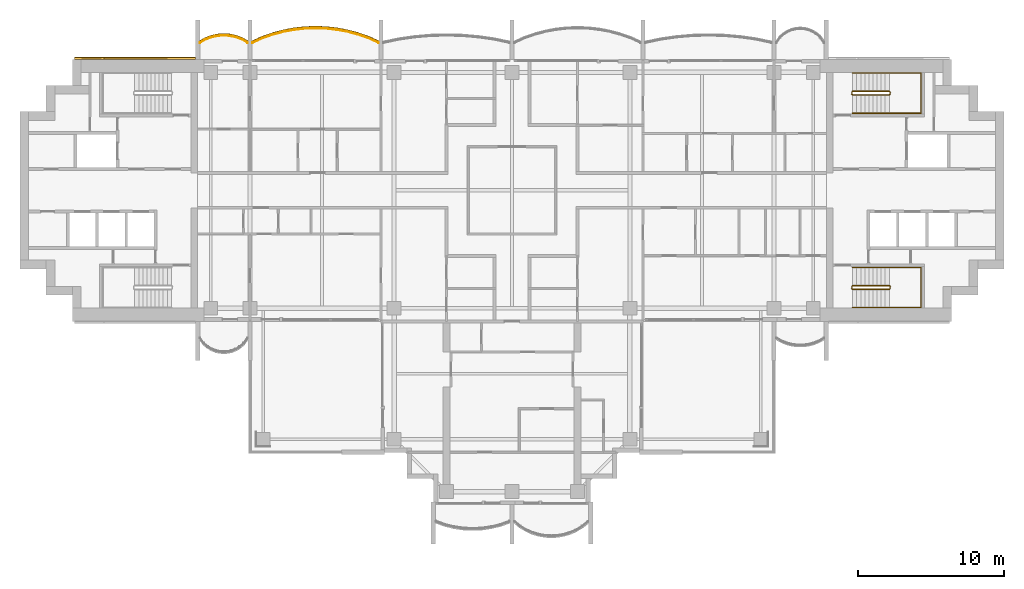
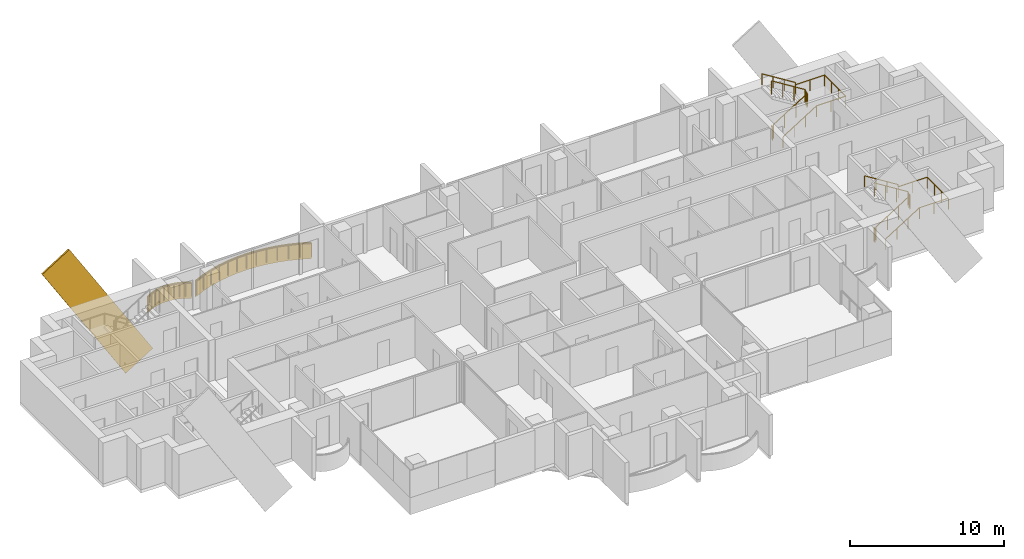
# One storey, part 17 of 18: 6 railings, 3 coverings.
"""IFC4 building model written with IfcOpenShell, lengths in metres."""

from ifc_helpers import new_model, si_unit, direction, frame, origin, origin_2d, place, context, subcontext, project, spatial, polyline, rectangle, outline, extrude, material, layer, layer_set, material_profile, profile_set, type_object, element, save


model = new_model("IFC4")

# Units and contexts
model_context = context("Model", 3, precision=1e-05, world=origin(), true_north=direction((0.0, 1.0)))
body_context = subcontext(model_context, "Body", "Model", "MODEL_VIEW")
ifc_project = project(units=[si_unit("LENGTHUNIT", "METRE"), si_unit("AREAUNIT", "SQUARE_METRE"), si_unit("VOLUMEUNIT", "CUBIC_METRE"), si_unit("PLANEANGLEUNIT", "RADIAN"), si_unit("MASSUNIT", "GRAM", prefix="KILO")], contexts=[model_context])

# Site, building, storey
site_placement = place(None, origin())
site = spatial("IfcSite", under=ifc_project, at=site_placement, CompositionType="ELEMENT")
building_placement = place(site_placement, origin())
building = spatial("IfcBuilding", under=site, at=building_placement, Name="Perihelion Cross Residences", CompositionType="ELEMENT")
storey_placement = place(building_placement, frame((0.0, 0.0, 177.10009765625)))
storey = spatial("IfcBuildingStorey", under=building, at=storey_placement, Name="L43", CompositionType="ELEMENT", Elevation=177.10009765625)

# Coverings
ifc_material_1 = material(Name="Bronze anodised aluminium", Category="aluminium")
ifc_layer = layer(ifc_material_1, 0.070068359375)
ifc_layer_set = layer_set([ifc_layer], Name="Balcony fascia 1300")
covering_type_1 = type_object("IfcCoveringType", Name="Balcony fascia 1300", PredefinedType="CLADDING", material=ifc_layer_set)
covering_1_placement = place(storey_placement, frame((0.0, 0.0, -0.2001953125)))
element("IfcCovering", 1, at=covering_1_placement, inside=storey, type_object=covering_type_1, Name="Fascia BF1 L43 west side north bay 1", PredefinedType="CLADDING", context=body_context, shape_type="SweptSolid", body=[
    extrude(outline(polyline([(-9.849365234375, 10.582275390625), (-10.57958984375, 10.83544921875), (-11.309814453125, 11.028076171875), (-12.039794921875, 11.1630859375), (-12.77001953125, 11.243408203125), (-13.5, 11.27001953125), (-14.22998046875, 11.243408203125), (-14.960205078125, 11.1630859375), (-15.690185546875, 11.028076171875), (-16.42041015625, 10.83544921875), (-17.150634765625, 10.582275390625), (-17.85009765625, 10.2763671875), (-17.85009765625, 10.199951171875), (-17.125, 10.51708984375), (-16.39990234375, 10.7685546875), (-15.675048828125, 10.959716796875), (-14.949951171875, 11.093994140625), (-14.22509765625, 11.173583984375), (-13.5, 11.199951171875), (-12.77490234375, 11.173583984375), (-12.050048828125, 11.093994140625), (-11.324951171875, 10.959716796875), (-10.60009765625, 10.7685546875), (-9.875, 10.51708984375), (-9.14990234375, 10.199951171875), (-9.14990234375, 10.2763671875), (-9.849365234375, 10.582275390625)])), origin(), (0.0, 0.0, 1.0), 1.300048828125),
])
covering_2_placement = place(storey_placement, frame((0.0, 0.0, -0.2001953125)))
element("IfcCovering", 2, at=covering_2_placement, inside=storey, type_object=covering_type_1, Name="Fascia BF1 L43 west side north bay 2", PredefinedType="CLADDING", context=body_context, shape_type="SweptSolid", body=[
    extrude(outline(polyline([(-18.486328125, 10.4716796875), (-18.861572265625, 10.62158203125), (-19.237060546875, 10.717529296875), (-19.6123046875, 10.76416015625), (-19.987548828125, 10.76416015625), (-20.363037109375, 10.717529296875), (-20.73828125, 10.62158203125), (-21.11376953125, 10.4716796875), (-21.449951171875, 10.280517578125), (-21.449951171875, 10.199951171875), (-21.083251953125, 10.40869140625), (-20.716552734375, 10.55517578125), (-20.35009765625, 10.648681640625), (-19.9833984375, 10.6943359375), (-19.61669921875, 10.6943359375), (-19.25, 10.648681640625), (-18.88330078125, 10.55517578125), (-18.5166015625, 10.40869140625), (-18.14990234375, 10.199951171875), (-18.14990234375, 10.280517578125), (-18.486328125, 10.4716796875)])), origin(), (0.0, 0.0, 1.0), 1.300048828125),
])

# Railings
ifc_material_2 = material(Name="Bronze anodised aluminium", Category="aluminium")
railing_type_1 = type_object("IfcRailingType", Name="Balcony guard 1100", PredefinedType="GUARDRAIL", material=ifc_material_2)
railing_1_placement = place(storey_placement, frame((-9.175048828125, 10.139892578125, 0.0)))
element("IfcRailing", 3, at=railing_1_placement, inside=storey, type_object=railing_type_1, Name="Guard GU1 L43 west side north bay 1 balcony", PredefinedType="GUARDRAIL", context=body_context, shape_type="SweptSolid", body=[
    extrude(rectangle(XDim=0.048095703125, YDim=0.048095703125, at=origin_2d()), frame((0.0, 0.0, 1.076171875), z_axis=(-0.910866309087, 0.412701547089, 0.0), x_axis=(-0.412701547089, -0.910866309087, 0.0)), (0.0, 0.0, 1.0), 0.7685546875),
    extrude(rectangle(XDim=0.048095703125, YDim=0.048095703125, at=origin_2d()), frame((-0.699951171875, 0.317138671875, 1.076171875), z_axis=(-0.944796812452, 0.327656807012, 0.0), x_axis=(-0.327656807012, -0.944796812452, 0.0)), (0.0, 0.0, 1.0), 0.767578125),
    extrude(rectangle(XDim=0.048095703125, YDim=0.048095703125, at=origin_2d()), frame((-1.425048828125, 0.568603515625, 1.076171875), z_axis=(-0.966939404945, 0.255006249266, 0.0), x_axis=(-0.255006249266, -0.966939404945, 0.0)), (0.0, 0.0, 1.0), 0.749755859375),
    extrude(rectangle(XDim=0.048095703125, YDim=0.048095703125, at=origin_2d()), frame((-2.14990234375, 0.759765625, 1.076171875), z_axis=(-0.983282004984, 0.182089260182, 0.0), x_axis=(-0.182089260182, -0.983282004984, 0.0)), (0.0, 0.0, 1.0), 0.7373046875),
    extrude(rectangle(XDim=0.048095703125, YDim=0.048095703125, at=origin_2d()), frame((-2.875, 0.89404296875, 1.076171875), z_axis=(-0.994025805622, 0.109145305703, 0.0), x_axis=(-0.109145305703, -0.994025805622, 0.0)), (0.0, 0.0, 1.0), 0.729248046875),
    extrude(rectangle(XDim=0.048095703125, YDim=0.048095703125, at=origin_2d()), frame((-3.599853515625, 0.9736328125, 1.076171875), z_axis=(-0.999339497946, 0.036339618107, 0.0), x_axis=(-0.036339618107, -0.999339497946, 0.0)), (0.0, 0.0, 1.0), 0.7255859375),
    extrude(rectangle(XDim=0.048095703125, YDim=0.048095703125, at=origin_2d()), frame((-4.324951171875, 1.0, 1.076171875), z_axis=(-0.999339497946, -0.036339618107, 0.0), x_axis=(0.036339618107, -0.999339497946, 0.0)), (0.0, 0.0, 1.0), 0.7255859375),
    extrude(rectangle(XDim=0.048095703125, YDim=0.048095703125, at=origin_2d()), frame((-5.050048828125, 0.9736328125, 1.076171875), z_axis=(-0.994025805622, -0.109145305703, 0.0), x_axis=(0.109145305703, -0.994025805622, 0.0)), (0.0, 0.0, 1.0), 0.729248046875),
    extrude(rectangle(XDim=0.048095703125, YDim=0.048095703125, at=origin_2d()), frame((-5.77490234375, 0.89404296875, 1.076171875), z_axis=(-0.983282004984, -0.182089260182, 0.0), x_axis=(0.182089260182, -0.983282004984, 0.0)), (0.0, 0.0, 1.0), 0.7373046875),
    extrude(rectangle(XDim=0.048095703125, YDim=0.048095703125, at=origin_2d()), frame((-6.5, 0.759765625, 1.076171875), z_axis=(-0.966939404945, -0.255006249266, 0.0), x_axis=(0.255006249266, -0.966939404945, 0.0)), (0.0, 0.0, 1.0), 0.749755859375),
    extrude(rectangle(XDim=0.048095703125, YDim=0.048095703125, at=origin_2d()), frame((-7.224853515625, 0.568603515625, 1.076171875), z_axis=(-0.944796812452, -0.327656807012, 0.0), x_axis=(0.327656807012, -0.944796812452, 0.0)), (0.0, 0.0, 1.0), 0.767578125),
    extrude(rectangle(XDim=0.048095703125, YDim=0.048095703125, at=origin_2d()), frame((-7.949951171875, 0.317138671875, 1.076171875), z_axis=(-0.910866309087, -0.412701547089, 0.0), x_axis=(0.412701547089, -0.910866309087, 0.0)), (0.0, 0.0, 1.0), 0.7685546875),
    extrude(rectangle(XDim=0.0419921875, YDim=0.0419921875, at=origin_2d()), origin(), (0.0, 0.0, 1.0), 1.052001953125),
    extrude(rectangle(XDim=0.0419921875, YDim=0.0419921875, at=origin_2d()), frame((-0.699951171875, 0.317138671875, 0.0)), (0.0, 0.0, 1.0), 1.052001953125),
    extrude(rectangle(XDim=0.0419921875, YDim=0.0419921875, at=origin_2d()), frame((-1.425048828125, 0.568603515625, 0.0)), (0.0, 0.0, 1.0), 1.052001953125),
    extrude(rectangle(XDim=0.0419921875, YDim=0.0419921875, at=origin_2d()), frame((-2.14990234375, 0.759765625, 0.0)), (0.0, 0.0, 1.0), 1.052001953125),
    extrude(rectangle(XDim=0.0419921875, YDim=0.0419921875, at=origin_2d()), frame((-2.875, 0.89404296875, 0.0)), (0.0, 0.0, 1.0), 1.052001953125),
    extrude(rectangle(XDim=0.0419921875, YDim=0.0419921875, at=origin_2d()), frame((-3.599853515625, 0.9736328125, 0.0)), (0.0, 0.0, 1.0), 1.052001953125),
    extrude(rectangle(XDim=0.0419921875, YDim=0.0419921875, at=origin_2d()), frame((-4.324951171875, 1.0, 0.0)), (0.0, 0.0, 1.0), 1.052001953125),
    extrude(rectangle(XDim=0.0419921875, YDim=0.0419921875, at=origin_2d()), frame((-5.050048828125, 0.9736328125, 0.0)), (0.0, 0.0, 1.0), 1.052001953125),
    extrude(rectangle(XDim=0.0419921875, YDim=0.0419921875, at=origin_2d()), frame((-5.77490234375, 0.89404296875, 0.0)), (0.0, 0.0, 1.0), 1.052001953125),
    extrude(rectangle(XDim=0.0419921875, YDim=0.0419921875, at=origin_2d()), frame((-6.5, 0.759765625, 0.0)), (0.0, 0.0, 1.0), 1.052001953125),
    extrude(rectangle(XDim=0.0419921875, YDim=0.0419921875, at=origin_2d()), frame((-7.224853515625, 0.568603515625, 0.0)), (0.0, 0.0, 1.0), 1.052001953125),
    extrude(rectangle(XDim=0.0419921875, YDim=0.0419921875, at=origin_2d()), frame((-7.949951171875, 0.317138671875, 0.0)), (0.0, 0.0, 1.0), 1.052001953125),
    extrude(rectangle(XDim=0.0419921875, YDim=0.0419921875, at=origin_2d()), frame((-8.64990234375, 0.0, 0.0)), (0.0, 0.0, 1.0), 1.052001953125),
])
railing_2_placement = place(storey_placement, frame((-18.175048828125, 10.139892578125, 0.0)))
element("IfcRailing", 4, at=railing_2_placement, inside=storey, type_object=railing_type_1, Name="Guard GU1 L43 west side north bay 2 balcony", PredefinedType="GUARDRAIL", context=body_context, shape_type="SweptSolid", body=[
    extrude(rectangle(XDim=0.048095703125, YDim=0.048095703125, at=origin_2d()), frame((0.0, 0.0, 1.076171875), z_axis=(-0.853266756821, 0.52147467983, 0.0), x_axis=(-0.52147467983, -0.853266756821, 0.0)), (0.0, 0.0, 1.0), 0.400390625),
    extrude(rectangle(XDim=0.048095703125, YDim=0.048095703125, at=origin_2d()), frame((-0.341552734375, 0.208740234375, 1.076171875), z_axis=(-0.928647151248, 0.37096424151, 0.0), x_axis=(-0.37096424151, -0.928647151248, 0.0)), (0.0, 0.0, 1.0), 0.394775390625),
    extrude(rectangle(XDim=0.048095703125, YDim=0.048095703125, at=origin_2d()), frame((-0.708251953125, 0.355224609375, 1.076171875), z_axis=(-0.968993337782, 0.247086849781, 0.0), x_axis=(-0.247086849781, -0.968993337782, 0.0)), (0.0, 0.0, 1.0), 0.37841796875),
    extrude(rectangle(XDim=0.048095703125, YDim=0.048095703125, at=origin_2d()), frame((-1.074951171875, 0.44873046875, 1.076171875), z_axis=(-0.992338742457, 0.123546834114, 0.0), x_axis=(-0.123546834114, -0.992338742457, 0.0)), (0.0, 0.0, 1.0), 0.36962890625),
    extrude(rectangle(XDim=0.048095703125, YDim=0.048095703125, at=origin_2d()), frame((-1.441650390625, 0.494384765625, 1.076171875), z_axis=(-1.0, 0.0, 0.0), x_axis=(0.0, -1.0, 0.0)), (0.0, 0.0, 1.0), 0.36669921875),
    extrude(rectangle(XDim=0.048095703125, YDim=0.048095703125, at=origin_2d()), frame((-1.808349609375, 0.494384765625, 1.076171875), z_axis=(-0.992338742457, -0.123546834114, 0.0), x_axis=(0.123546834114, -0.992338742457, 0.0)), (0.0, 0.0, 1.0), 0.36962890625),
    extrude(rectangle(XDim=0.048095703125, YDim=0.048095703125, at=origin_2d()), frame((-2.175048828125, 0.44873046875, 1.076171875), z_axis=(-0.968953914071, -0.247241405123, 0.0), x_axis=(0.247241405123, -0.968953914071, 0.0)), (0.0, 0.0, 1.0), 0.378173828125),
    extrude(rectangle(XDim=0.048095703125, YDim=0.048095703125, at=origin_2d()), frame((-2.54150390625, 0.355224609375, 1.076171875), z_axis=(-0.928647151248, -0.37096424151, 0.0), x_axis=(0.37096424151, -0.928647151248, 0.0)), (0.0, 0.0, 1.0), 0.394775390625),
    extrude(rectangle(XDim=0.048095703125, YDim=0.048095703125, at=origin_2d()), frame((-2.908203125, 0.208740234375, 1.076171875), z_axis=(-0.853432484338, -0.521203410078, 0.0), x_axis=(0.521203410078, -0.853432484338, 0.0)), (0.0, 0.0, 1.0), 0.400390625),
    extrude(rectangle(XDim=0.0419921875, YDim=0.0419921875, at=origin_2d()), origin(), (0.0, 0.0, 1.0), 1.052001953125),
    extrude(rectangle(XDim=0.0419921875, YDim=0.0419921875, at=origin_2d()), frame((-0.341552734375, 0.208740234375, 0.0)), (0.0, 0.0, 1.0), 1.052001953125),
    extrude(rectangle(XDim=0.0419921875, YDim=0.0419921875, at=origin_2d()), frame((-0.708251953125, 0.355224609375, 0.0)), (0.0, 0.0, 1.0), 1.052001953125),
    extrude(rectangle(XDim=0.0419921875, YDim=0.0419921875, at=origin_2d()), frame((-1.074951171875, 0.44873046875, 0.0)), (0.0, 0.0, 1.0), 1.052001953125),
    extrude(rectangle(XDim=0.0419921875, YDim=0.0419921875, at=origin_2d()), frame((-1.441650390625, 0.494384765625, 0.0)), (0.0, 0.0, 1.0), 1.052001953125),
    extrude(rectangle(XDim=0.0419921875, YDim=0.0419921875, at=origin_2d()), frame((-1.808349609375, 0.494384765625, 0.0)), (0.0, 0.0, 1.0), 1.052001953125),
    extrude(rectangle(XDim=0.0419921875, YDim=0.0419921875, at=origin_2d()), frame((-2.175048828125, 0.44873046875, 0.0)), (0.0, 0.0, 1.0), 1.052001953125),
    extrude(rectangle(XDim=0.0419921875, YDim=0.0419921875, at=origin_2d()), frame((-2.54150390625, 0.355224609375, 0.0)), (0.0, 0.0, 1.0), 1.052001953125),
    extrude(rectangle(XDim=0.0419921875, YDim=0.0419921875, at=origin_2d()), frame((-2.908203125, 0.208740234375, 0.0)), (0.0, 0.0, 1.0), 1.052001953125),
    extrude(rectangle(XDim=0.0419921875, YDim=0.0419921875, at=origin_2d()), frame((-3.25, 0.0, 0.0)), (0.0, 0.0, 1.0), 1.052001953125),
])

# Covering
ifc_material_3 = material(Name="Bronze anodised aluminium", Category="aluminium")
ifc_material_profile = material_profile(ifc_material_3, rectangle(XDim=0.125, YDim=2.39990234375, at=origin_2d()), Name="Bronze cladding band 2400")
ifc_profile_set = profile_set([ifc_material_profile], Name="Bronze anodised aluminium")
covering_type_2 = type_object("IfcCoveringType", Name="Bronze cladding band 2400", PredefinedType="CLADDING", material=ifc_profile_set)
covering_3_placement = place(storey_placement, frame((-22.767578125, 9.0625, -2.805419921875), z_axis=(-0.529915403603, 0.0, 0.848050508534), x_axis=(0.0, -1.0, 0.0)))
element("IfcCovering", 5, at=covering_3_placement, inside=storey, type_object=covering_type_2, Name="Core cladding band, west core", PredefinedType="CLADDING", context=body_context, shape_type="SweptSolid", body=[
    extrude(rectangle(XDim=0.125, YDim=2.39990234375, at=origin_2d()), origin(), (0.0, 0.0, 1.0), 11.822021484375),
])

# Railings
ifc_material_4 = material(Name="Stainless steel", Category="steel")
railing_type_2 = type_object("IfcRailingType", Name="Stair guard 1100", PredefinedType="GUARDRAIL", material=ifc_material_4)
railing_3_placement = place(storey_placement, frame((23.35009765625, 6.75, 0.0)))
element("IfcRailing", 6, at=railing_3_placement, inside=storey, type_object=railing_type_2, Name="L43 ST-E1 stair guard 1", PredefinedType="GUARDRAIL", context=body_context, shape_type="SweptSolid", body=[
    extrude(rectangle(XDim=0.048095703125, YDim=0.048095703125, at=origin_2d()), frame((0.0, 0.0, 1.076171875), z_axis=(0.0, -1.0, 0.0), x_axis=(1.0, 0.0, 0.0)), (0.0, 0.0, 1.0), 0.14990234375),
    extrude(rectangle(XDim=0.048095703125, YDim=0.048095703125, at=origin_2d()), frame((0.0, -0.14990234375, 1.076171875), z_axis=(0.264179342666, -0.265474339444, 0.927217692888), x_axis=(0.708833529934, 0.705375805398, 0.0)), (0.0, 0.0, 1.0), 0.1884765625),
    extrude(rectangle(XDim=0.048095703125, YDim=0.048095703125, at=origin_2d()), frame((0.0498046875, -0.199951171875, 1.2509765625), z_axis=(0.847970611238, 0.0, 0.530043245855), x_axis=(0.0, 1.0, 0.0)), (0.0, 0.0, 1.0), 2.971923828125),
    extrude(rectangle(XDim=0.048095703125, YDim=0.048095703125, at=origin_2d()), frame((2.56982421875, -0.199951171875, 2.826171875), z_axis=(0.707106781187, 0.707106781187, 0.0), x_axis=(-0.707106781187, 0.707106781187, 0.0)), (0.0, 0.0, 1.0), 0.07080078125),
    extrude(rectangle(XDim=0.048095703125, YDim=0.048095703125, at=origin_2d()), frame((2.619873046875, -0.14990234375, 2.826171875), z_axis=(0.0, 1.0, 0.0), x_axis=(-1.0, 0.0, 0.0)), (0.0, 0.0, 1.0), 0.14990234375),
    extrude(rectangle(XDim=0.048095703125, YDim=0.048095703125, at=origin_2d()), frame((2.619873046875, 0.0, 2.826171875), z_axis=(-0.265383341853, 0.265383341853, 0.926899867156), x_axis=(-0.707106781187, -0.707106781187, 0.0)), (0.0, 0.0, 1.0), 0.1884765625),
    extrude(rectangle(XDim=0.048095703125, YDim=0.048095703125, at=origin_2d()), frame((2.56982421875, 0.050048828125, 3.0009765625), z_axis=(-0.847970611238, 0.0, 0.530043245855), x_axis=(0.0, -1.0, 0.0)), (0.0, 0.0, 1.0), 2.971923828125),
    extrude(rectangle(XDim=0.0419921875, YDim=0.0419921875, at=origin_2d()), origin(), (0.0, 0.0, 1.0), 1.052001953125),
    extrude(rectangle(XDim=0.0419921875, YDim=0.0419921875, at=origin_2d()), frame((0.0, -0.14990234375, 0.0)), (0.0, 0.0, 1.0), 1.052001953125),
    extrude(rectangle(XDim=0.0419921875, YDim=0.0419921875, at=origin_2d()), frame((0.0498046875, -0.199951171875, 0.1748046875)), (0.0, 0.0, 1.0), 1.052001953125),
    extrude(rectangle(XDim=0.0419921875, YDim=0.0419921875, at=origin_2d()), frame((0.889892578125, -0.199951171875, 0.699951171875)), (0.0, 0.0, 1.0), 1.052001953125),
    extrude(rectangle(XDim=0.0419921875, YDim=0.0419921875, at=origin_2d()), frame((1.729736328125, -0.199951171875, 1.224853515625)), (0.0, 0.0, 1.0), 1.052001953125),
    extrude(rectangle(XDim=0.0419921875, YDim=0.0419921875, at=origin_2d()), frame((2.56982421875, -0.199951171875, 1.75)), (0.0, 0.0, 1.0), 1.052001953125),
    extrude(rectangle(XDim=0.0419921875, YDim=0.0419921875, at=origin_2d()), frame((2.619873046875, -0.14990234375, 1.75)), (0.0, 0.0, 1.0), 1.052001953125),
    extrude(rectangle(XDim=0.0419921875, YDim=0.0419921875, at=origin_2d()), frame((2.619873046875, 0.0, 1.75)), (0.0, 0.0, 1.0), 1.052001953125),
    extrude(rectangle(XDim=0.0419921875, YDim=0.0419921875, at=origin_2d()), frame((2.56982421875, 0.050048828125, 1.9248046875)), (0.0, 0.0, 1.0), 1.052001953125),
    extrude(rectangle(XDim=0.0419921875, YDim=0.0419921875, at=origin_2d()), frame((1.729736328125, 0.050048828125, 2.449951171875)), (0.0, 0.0, 1.0), 1.052001953125),
    extrude(rectangle(XDim=0.0419921875, YDim=0.0419921875, at=origin_2d()), frame((0.889892578125, 0.050048828125, 2.974853515625)), (0.0, 0.0, 1.0), 1.052001953125),
    extrude(rectangle(XDim=0.0419921875, YDim=0.0419921875, at=origin_2d()), frame((0.0498046875, 0.050048828125, 3.5)), (0.0, 0.0, 1.0), 1.052001953125),
])
railing_4_placement = place(storey_placement, frame((23.35009765625, -6.60009765625, 0.0)))
element("IfcRailing", 7, at=railing_4_placement, inside=storey, type_object=railing_type_2, Name="L43 ST-E2 stair guard 1", PredefinedType="GUARDRAIL", context=body_context, shape_type="SweptSolid", body=[
    extrude(rectangle(XDim=0.048095703125, YDim=0.048095703125, at=origin_2d()), frame((0.0, 0.0, 1.076171875), z_axis=(0.0, -1.0, 0.0), x_axis=(1.0, 0.0, 0.0)), (0.0, 0.0, 1.0), 0.14990234375),
    extrude(rectangle(XDim=0.048095703125, YDim=0.048095703125, at=origin_2d()), frame((0.0, -0.14990234375, 1.076171875), z_axis=(0.264179342666, -0.265474339444, 0.927217692888), x_axis=(0.708833529934, 0.705375805398, 0.0)), (0.0, 0.0, 1.0), 0.1884765625),
    extrude(rectangle(XDim=0.048095703125, YDim=0.048095703125, at=origin_2d()), frame((0.0498046875, -0.199951171875, 1.2509765625), z_axis=(0.847970611238, 0.0, 0.530043245855), x_axis=(0.0, 1.0, 0.0)), (0.0, 0.0, 1.0), 2.971923828125),
    extrude(rectangle(XDim=0.048095703125, YDim=0.048095703125, at=origin_2d()), frame((2.56982421875, -0.199951171875, 2.826171875), z_axis=(0.707106781187, 0.707106781187, 0.0), x_axis=(-0.707106781187, 0.707106781187, 0.0)), (0.0, 0.0, 1.0), 0.07080078125),
    extrude(rectangle(XDim=0.048095703125, YDim=0.048095703125, at=origin_2d()), frame((2.619873046875, -0.14990234375, 2.826171875), z_axis=(0.0, 1.0, 0.0), x_axis=(-1.0, 0.0, 0.0)), (0.0, 0.0, 1.0), 0.14990234375),
    extrude(rectangle(XDim=0.048095703125, YDim=0.048095703125, at=origin_2d()), frame((2.619873046875, 0.0, 2.826171875), z_axis=(-0.265383341853, 0.265383341853, 0.926899867156), x_axis=(-0.707106781187, -0.707106781187, 0.0)), (0.0, 0.0, 1.0), 0.1884765625),
    extrude(rectangle(XDim=0.048095703125, YDim=0.048095703125, at=origin_2d()), frame((2.56982421875, 0.050048828125, 3.0009765625), z_axis=(-0.847970611238, 0.0, 0.530043245855), x_axis=(0.0, -1.0, 0.0)), (0.0, 0.0, 1.0), 2.971923828125),
    extrude(rectangle(XDim=0.0419921875, YDim=0.0419921875, at=origin_2d()), origin(), (0.0, 0.0, 1.0), 1.052001953125),
    extrude(rectangle(XDim=0.0419921875, YDim=0.0419921875, at=origin_2d()), frame((0.0, -0.14990234375, 0.0)), (0.0, 0.0, 1.0), 1.052001953125),
    extrude(rectangle(XDim=0.0419921875, YDim=0.0419921875, at=origin_2d()), frame((0.0498046875, -0.199951171875, 0.1748046875)), (0.0, 0.0, 1.0), 1.052001953125),
    extrude(rectangle(XDim=0.0419921875, YDim=0.0419921875, at=origin_2d()), frame((0.889892578125, -0.199951171875, 0.699951171875)), (0.0, 0.0, 1.0), 1.052001953125),
    extrude(rectangle(XDim=0.0419921875, YDim=0.0419921875, at=origin_2d()), frame((1.729736328125, -0.199951171875, 1.224853515625)), (0.0, 0.0, 1.0), 1.052001953125),
    extrude(rectangle(XDim=0.0419921875, YDim=0.0419921875, at=origin_2d()), frame((2.56982421875, -0.199951171875, 1.75)), (0.0, 0.0, 1.0), 1.052001953125),
    extrude(rectangle(XDim=0.0419921875, YDim=0.0419921875, at=origin_2d()), frame((2.619873046875, -0.14990234375, 1.75)), (0.0, 0.0, 1.0), 1.052001953125),
    extrude(rectangle(XDim=0.0419921875, YDim=0.0419921875, at=origin_2d()), frame((2.619873046875, 0.0, 1.75)), (0.0, 0.0, 1.0), 1.052001953125),
    extrude(rectangle(XDim=0.0419921875, YDim=0.0419921875, at=origin_2d()), frame((2.56982421875, 0.050048828125, 1.9248046875)), (0.0, 0.0, 1.0), 1.052001953125),
    extrude(rectangle(XDim=0.0419921875, YDim=0.0419921875, at=origin_2d()), frame((1.729736328125, 0.050048828125, 2.449951171875)), (0.0, 0.0, 1.0), 1.052001953125),
    extrude(rectangle(XDim=0.0419921875, YDim=0.0419921875, at=origin_2d()), frame((0.889892578125, 0.050048828125, 2.974853515625)), (0.0, 0.0, 1.0), 1.052001953125),
    extrude(rectangle(XDim=0.0419921875, YDim=0.0419921875, at=origin_2d()), frame((0.0498046875, 0.050048828125, 3.5)), (0.0, 0.0, 1.0), 1.052001953125),
])
ifc_material_5 = material(Name="Stainless steel", Category="steel")
railing_type_3 = type_object("IfcRailingType", Name="Stair handrail 900", PredefinedType="HANDRAIL", material=ifc_material_5)
railing_5_placement = place(storey_placement, frame((23.39990234375, 5.300048828125, 0.1748046875)))
element("IfcRailing", 8, at=railing_5_placement, inside=storey, type_object=railing_type_3, Name="L43 ST-E1 stair handrail 1", PredefinedType="HANDRAIL", context=body_context, shape_type="SweptSolid", body=[
    extrude(rectangle(XDim=0.048095703125, YDim=0.048095703125, at=origin_2d()), frame((0.0, 0.0, 0.8759765625), z_axis=(0.847970611238, 0.0, 0.530043245855), x_axis=(0.0, 1.0, 0.0)), (0.0, 0.0, 1.0), 2.971923828125),
    extrude(rectangle(XDim=0.048095703125, YDim=0.048095703125, at=origin_2d()), frame((2.52001953125, 0.0, 2.451171875), z_axis=(1.0, 0.0, 0.0), x_axis=(0.0, 1.0, 0.0)), (0.0, 0.0, 1.0), 2.18017578125),
    extrude(rectangle(XDim=0.048095703125, YDim=0.048095703125, at=origin_2d()), frame((4.7001953125, 0.0, 2.451171875), z_axis=(0.0, 1.0, 0.0), x_axis=(-1.0, 0.0, 0.0)), (0.0, 0.0, 1.0), 2.75),
    extrude(rectangle(XDim=0.048095703125, YDim=0.048095703125, at=origin_2d()), frame((4.7001953125, 2.75, 2.451171875), z_axis=(-1.0, 0.0, 0.0), x_axis=(0.0, -1.0, 0.0)), (0.0, 0.0, 1.0), 2.18017578125),
    extrude(rectangle(XDim=0.048095703125, YDim=0.048095703125, at=origin_2d()), frame((2.52001953125, 2.75, 2.451171875), z_axis=(0.0, 0.0, 1.0), x_axis=(1.0, 0.0, 0.0)), (0.0, 0.0, 1.0), 0.1748046875),
    extrude(rectangle(XDim=0.048095703125, YDim=0.048095703125, at=origin_2d()), frame((2.52001953125, 2.75, 2.6259765625), z_axis=(-0.847970611238, 0.0, 0.530043245855), x_axis=(0.0, -1.0, 0.0)), (0.0, 0.0, 1.0), 2.971923828125),
    extrude(rectangle(XDim=0.0419921875, YDim=0.0419921875, at=origin_2d()), origin(), (0.0, 0.0, 1.0), 0.851806640625),
    extrude(rectangle(XDim=0.0419921875, YDim=0.0419921875, at=origin_2d()), frame((0.840087890625, 0.0, 0.525146484375)), (0.0, 0.0, 1.0), 0.851806640625),
    extrude(rectangle(XDim=0.0419921875, YDim=0.0419921875, at=origin_2d()), frame((1.679931640625, 0.0, 1.050048828125)), (0.0, 0.0, 1.0), 0.851806640625),
    extrude(rectangle(XDim=0.0419921875, YDim=0.0419921875, at=origin_2d()), frame((2.52001953125, 0.0, 1.5751953125)), (0.0, 0.0, 1.0), 0.851806640625),
    extrude(rectangle(XDim=0.0419921875, YDim=0.0419921875, at=origin_2d()), frame((3.610107421875, 0.0, 1.5751953125)), (0.0, 0.0, 1.0), 0.851806640625),
    extrude(rectangle(XDim=0.0419921875, YDim=0.0419921875, at=origin_2d()), frame((4.7001953125, 0.0, 1.5751953125)), (0.0, 0.0, 1.0), 0.851806640625),
    extrude(rectangle(XDim=0.0419921875, YDim=0.0419921875, at=origin_2d()), frame((4.7001953125, 0.916748046875, 1.5751953125)), (0.0, 0.0, 1.0), 0.851806640625),
    extrude(rectangle(XDim=0.0419921875, YDim=0.0419921875, at=origin_2d()), frame((4.7001953125, 1.833251953125, 1.5751953125)), (0.0, 0.0, 1.0), 0.851806640625),
    extrude(rectangle(XDim=0.0419921875, YDim=0.0419921875, at=origin_2d()), frame((4.7001953125, 2.75, 1.5751953125)), (0.0, 0.0, 1.0), 0.851806640625),
    extrude(rectangle(XDim=0.0419921875, YDim=0.0419921875, at=origin_2d()), frame((3.610107421875, 2.75, 1.5751953125)), (0.0, 0.0, 1.0), 0.851806640625),
    extrude(rectangle(XDim=0.0419921875, YDim=0.0419921875, at=origin_2d()), frame((2.52001953125, 2.75, 1.5751953125)), (0.0, 0.0, 1.0), 0.851806640625),
    extrude(rectangle(XDim=0.0419921875, YDim=0.0419921875, at=origin_2d()), frame((2.52001953125, 2.75, 1.75)), (0.0, 0.0, 1.0), 0.851806640625),
    extrude(rectangle(XDim=0.0419921875, YDim=0.0419921875, at=origin_2d()), frame((1.679931640625, 2.75, 2.275146484375)), (0.0, 0.0, 1.0), 0.851806640625),
    extrude(rectangle(XDim=0.0419921875, YDim=0.0419921875, at=origin_2d()), frame((0.840087890625, 2.75, 2.800048828125)), (0.0, 0.0, 1.0), 0.851806640625),
    extrude(rectangle(XDim=0.0419921875, YDim=0.0419921875, at=origin_2d()), frame((0.0, 2.75, 3.3251953125)), (0.0, 0.0, 1.0), 0.851806640625),
])
railing_6_placement = place(storey_placement, frame((23.39990234375, -8.050048828125, 0.1748046875)))
element("IfcRailing", 9, at=railing_6_placement, inside=storey, type_object=railing_type_3, Name="L43 ST-E2 stair handrail 1", PredefinedType="HANDRAIL", context=body_context, shape_type="SweptSolid", body=[
    extrude(rectangle(XDim=0.048095703125, YDim=0.048095703125, at=origin_2d()), frame((0.0, 0.0, 0.8759765625), z_axis=(0.847970611238, 0.0, 0.530043245855), x_axis=(0.0, 1.0, 0.0)), (0.0, 0.0, 1.0), 2.971923828125),
    extrude(rectangle(XDim=0.048095703125, YDim=0.048095703125, at=origin_2d()), frame((2.52001953125, 0.0, 2.451171875), z_axis=(1.0, 0.0, 0.0), x_axis=(0.0, 1.0, 0.0)), (0.0, 0.0, 1.0), 2.18017578125),
    extrude(rectangle(XDim=0.048095703125, YDim=0.048095703125, at=origin_2d()), frame((4.7001953125, 0.0, 2.451171875), z_axis=(0.0, 1.0, 0.0), x_axis=(-1.0, 0.0, 0.0)), (0.0, 0.0, 1.0), 2.75),
    extrude(rectangle(XDim=0.048095703125, YDim=0.048095703125, at=origin_2d()), frame((4.7001953125, 2.75, 2.451171875), z_axis=(-1.0, 0.0, 0.0), x_axis=(0.0, -1.0, 0.0)), (0.0, 0.0, 1.0), 2.18017578125),
    extrude(rectangle(XDim=0.048095703125, YDim=0.048095703125, at=origin_2d()), frame((2.52001953125, 2.75, 2.451171875), z_axis=(0.0, 0.0, 1.0), x_axis=(1.0, 0.0, 0.0)), (0.0, 0.0, 1.0), 0.1748046875),
    extrude(rectangle(XDim=0.048095703125, YDim=0.048095703125, at=origin_2d()), frame((2.52001953125, 2.75, 2.6259765625), z_axis=(-0.847970611238, 0.0, 0.530043245855), x_axis=(0.0, -1.0, 0.0)), (0.0, 0.0, 1.0), 2.971923828125),
    extrude(rectangle(XDim=0.0419921875, YDim=0.0419921875, at=origin_2d()), origin(), (0.0, 0.0, 1.0), 0.851806640625),
    extrude(rectangle(XDim=0.0419921875, YDim=0.0419921875, at=origin_2d()), frame((0.840087890625, 0.0, 0.525146484375)), (0.0, 0.0, 1.0), 0.851806640625),
    extrude(rectangle(XDim=0.0419921875, YDim=0.0419921875, at=origin_2d()), frame((1.679931640625, 0.0, 1.050048828125)), (0.0, 0.0, 1.0), 0.851806640625),
    extrude(rectangle(XDim=0.0419921875, YDim=0.0419921875, at=origin_2d()), frame((2.52001953125, 0.0, 1.5751953125)), (0.0, 0.0, 1.0), 0.851806640625),
    extrude(rectangle(XDim=0.0419921875, YDim=0.0419921875, at=origin_2d()), frame((3.610107421875, 0.0, 1.5751953125)), (0.0, 0.0, 1.0), 0.851806640625),
    extrude(rectangle(XDim=0.0419921875, YDim=0.0419921875, at=origin_2d()), frame((4.7001953125, 0.0, 1.5751953125)), (0.0, 0.0, 1.0), 0.851806640625),
    extrude(rectangle(XDim=0.0419921875, YDim=0.0419921875, at=origin_2d()), frame((4.7001953125, 0.916748046875, 1.5751953125)), (0.0, 0.0, 1.0), 0.851806640625),
    extrude(rectangle(XDim=0.0419921875, YDim=0.0419921875, at=origin_2d()), frame((4.7001953125, 1.833251953125, 1.5751953125)), (0.0, 0.0, 1.0), 0.851806640625),
    extrude(rectangle(XDim=0.0419921875, YDim=0.0419921875, at=origin_2d()), frame((4.7001953125, 2.75, 1.5751953125)), (0.0, 0.0, 1.0), 0.851806640625),
    extrude(rectangle(XDim=0.0419921875, YDim=0.0419921875, at=origin_2d()), frame((3.610107421875, 2.75, 1.5751953125)), (0.0, 0.0, 1.0), 0.851806640625),
    extrude(rectangle(XDim=0.0419921875, YDim=0.0419921875, at=origin_2d()), frame((2.52001953125, 2.75, 1.5751953125)), (0.0, 0.0, 1.0), 0.851806640625),
    extrude(rectangle(XDim=0.0419921875, YDim=0.0419921875, at=origin_2d()), frame((2.52001953125, 2.75, 1.75)), (0.0, 0.0, 1.0), 0.851806640625),
    extrude(rectangle(XDim=0.0419921875, YDim=0.0419921875, at=origin_2d()), frame((1.679931640625, 2.75, 2.275146484375)), (0.0, 0.0, 1.0), 0.851806640625),
    extrude(rectangle(XDim=0.0419921875, YDim=0.0419921875, at=origin_2d()), frame((0.840087890625, 2.75, 2.800048828125)), (0.0, 0.0, 1.0), 0.851806640625),
    extrude(rectangle(XDim=0.0419921875, YDim=0.0419921875, at=origin_2d()), frame((0.0, 2.75, 3.3251953125)), (0.0, 0.0, 1.0), 0.851806640625),
])

save(model, "model.ifc")
